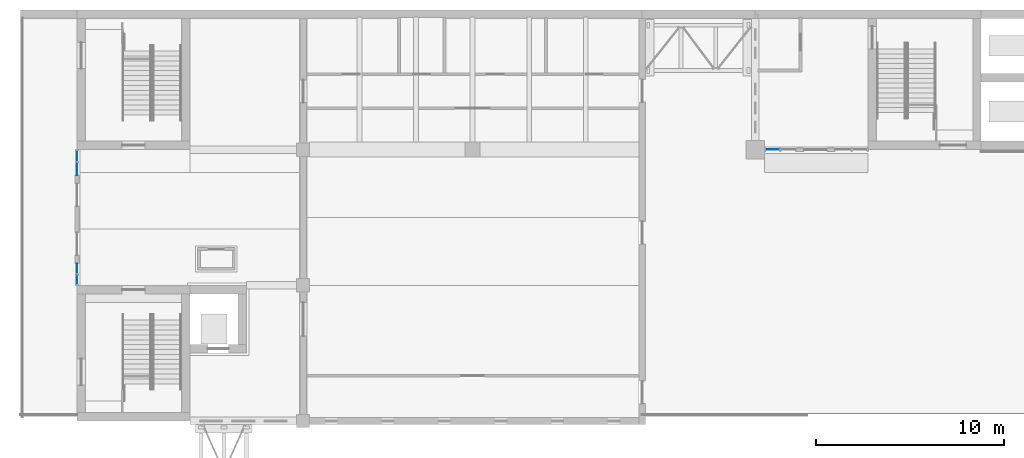
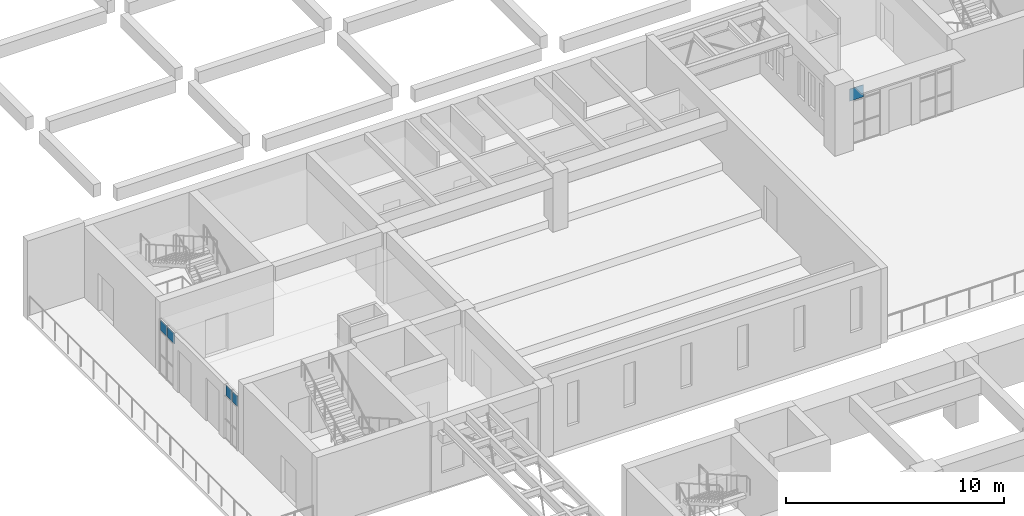
# One storey, part 57 of 103: 5 plates, 3 elements without a shape of their own.
"""IFC4 building model written with IfcOpenShell, lengths in metres."""

from ifc_helpers import new_model, si_unit, direction, frame, origin, origin_2d, place, context, subcontext, project, spatial, rectangle, extrude, material, layer, layer_set, type_object, element, aggregate, save


model = new_model("IFC4")

# Units and contexts
model_context = context("Model", 3, precision=1e-05, world=origin(), true_north=direction((0.0, 1.0)))
body_context = subcontext(model_context, "Body", "Model", "MODEL_VIEW")
ifc_project = project(units=[si_unit("LENGTHUNIT", "METRE"), si_unit("AREAUNIT", "SQUARE_METRE"), si_unit("VOLUMEUNIT", "CUBIC_METRE"), si_unit("PLANEANGLEUNIT", "RADIAN"), si_unit("MASSUNIT", "GRAM", prefix="KILO")], contexts=[model_context])

# Site, building, storey
site_placement = place(None, origin())
site = spatial("IfcSite", under=ifc_project, at=site_placement, CompositionType="ELEMENT")
building_placement = place(site_placement, origin())
building = spatial("IfcBuilding", under=site, at=building_placement, Name="Laocheng Heights Fire and Rescue Headquarters", CompositionType="ELEMENT")
storey_placement = place(building_placement, frame((0.0, 0.0, 4.199951171875)))
storey = spatial("IfcBuildingStorey", under=building, at=storey_placement, Name="L01", CompositionType="ELEMENT", Elevation=4.199951171875)

# Curtain wall, plates
ifc_material_1 = material(Name="Dark anodised aluminium unitised curtain wall, low-e double glazing", Category="aluminium")
curtain_wall_type_1 = type_object("IfcCurtainWallType", Name="CW 1150 x 3050 FOYER GLAZING", PredefinedType="NOTDEFINED", material=ifc_material_1)
curtain_wall_1_placement = place(storey_placement, origin())
curtain_wall_1 = element("IfcCurtainWall", 1, at=curtain_wall_1_placement, inside=storey, type_object=curtain_wall_type_1, Name="X1-V FOYER WEST L01", PredefinedType="NOTDEFINED")
ifc_material_2 = material(Name="Low-e double glazed unit, laminated inner pane")
ifc_layer_1 = layer(ifc_material_2, 0.028076171875)
ifc_layer_set_1 = layer_set([ifc_layer_1], Name="Low-e double glazed unit, laminated inner pane")
plate_type_1 = type_object("IfcPlateType", Name="CW VISION PANEL 28 V", PredefinedType="CURTAIN_PANEL", material=ifc_layer_set_1)
plate_1_placement = place(storey_placement, frame((0.0, 43.50244140625, 2.42529296875), z_axis=(0.0, 0.0, 1.0), x_axis=(0.0, 1.0, 0.0)))
plate_1 = element("IfcPlate", 2, at=plate_1_placement, type_object=plate_type_1, Name="X1-V panel 1.3", PredefinedType="CURTAIN_PANEL", context=body_context, shape_type="SweptSolid", body=[
    extrude(rectangle(XDim=0.485107421875, YDim=0.028076171875, at=origin_2d()), origin(), (0.0, 0.0, 1.0), 0.574951171875),
])
plate_2_placement = place(storey_placement, frame((0.0, 44.077392578125, 2.42529296875), z_axis=(0.0, 0.0, 1.0), x_axis=(0.0, 1.0, 0.0)))
plate_2 = element("IfcPlate", 3, at=plate_2_placement, type_object=plate_type_1, Name="X1-V panel 2.3", PredefinedType="CURTAIN_PANEL", context=body_context, shape_type="SweptSolid", body=[
    extrude(rectangle(XDim=0.544921875, YDim=0.028076171875, at=origin_2d()), origin(), (0.0, 0.0, 1.0), 0.574951171875),
])
aggregate(curtain_wall_1, [plate_1, plate_2])

ifc_material_3 = material(Name="Dark anodised aluminium unitised curtain wall, low-e double glazing", Category="aluminium")
curtain_wall_type_2 = type_object("IfcCurtainWallType", Name="CW 1350 x 3050 FOYER GLAZING", PredefinedType="NOTDEFINED", material=ifc_material_3)
curtain_wall_2_placement = place(storey_placement, origin())
curtain_wall_2 = element("IfcCurtainWall", 4, at=curtain_wall_2_placement, inside=storey, type_object=curtain_wall_type_2, Name="X2-V FOYER WEST L01", PredefinedType="NOTDEFINED")
plate_3_placement = place(storey_placement, frame((0.0, 49.37255859375, 2.42529296875), z_axis=(0.0, 0.0, 1.0), x_axis=(0.0, 1.0, 0.0)))
plate_3 = element("IfcPlate", 5, at=plate_3_placement, type_object=plate_type_1, Name="X2-V panel 1.3", PredefinedType="CURTAIN_PANEL", context=body_context, shape_type="SweptSolid", body=[
    extrude(rectangle(XDim=0.64501953125, YDim=0.028076171875, at=origin_2d()), origin(), (0.0, 0.0, 1.0), 0.574951171875),
])
plate_4_placement = place(storey_placement, frame((0.0, 50.047607421875, 2.42529296875), z_axis=(0.0, 0.0, 1.0), x_axis=(0.0, 1.0, 0.0)))
plate_4 = element("IfcPlate", 6, at=plate_4_placement, type_object=plate_type_1, Name="X2-V panel 2.3", PredefinedType="CURTAIN_PANEL", context=body_context, shape_type="SweptSolid", body=[
    extrude(rectangle(XDim=0.5849609375, YDim=0.028076171875, at=origin_2d()), origin(), (0.0, 0.0, 1.0), 0.574951171875),
])
aggregate(curtain_wall_2, [plate_3, plate_4])

# Curtain wall, plate
ifc_material_4 = material(Name="Dark anodised aluminium unitised curtain wall, low-e double glazing", Category="aluminium")
curtain_wall_type_3 = type_object("IfcCurtainWallType", Name="CW 1650 x 3150 HQ SOUTH RIBBON", PredefinedType="NOTDEFINED", material=ifc_material_4)
curtain_wall_3_placement = place(storey_placement, origin())
curtain_wall_3 = element("IfcCurtainWall", 7, at=curtain_wall_3_placement, inside=storey, type_object=curtain_wall_type_3, Name="X1-X HQ SOUTH L01", PredefinedType="NOTDEFINED")
ifc_material_5 = material(Name="Low-e double glazed unit, laminated inner pane")
ifc_layer_2 = layer(ifc_material_5, 0.028076171875)
ifc_layer_set_2 = layer_set([ifc_layer_2], Name="Low-e double glazed unit, laminated inner pane")
plate_type_2 = type_object("IfcPlateType", Name="CW VISION PANEL 28 X", PredefinedType="CURTAIN_PANEL", material=ifc_layer_set_2)
plate_5_placement = place(storey_placement, frame((36.927490234375, 50.39990234375, 2.4248046875), z_axis=(0.0, 0.0, 1.0), x_axis=(1.0, 0.0, 0.0)))
plate_5 = element("IfcPlate", 8, at=plate_5_placement, type_object=plate_type_2, Name="X1-X panel 1.3", PredefinedType="CURTAIN_PANEL", context=body_context, shape_type="SweptSolid", body=[
    extrude(rectangle(XDim=0.735107421875, YDim=0.028076171875, at=origin_2d()), origin(), (0.0, 0.0, 1.0), 0.675048828125),
])
aggregate(curtain_wall_3, [plate_5])

save(model, "model.ifc")
